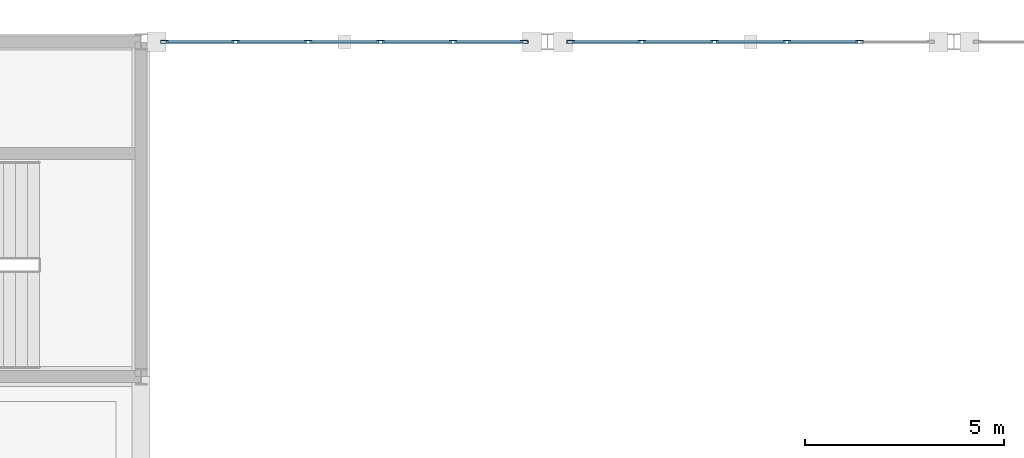
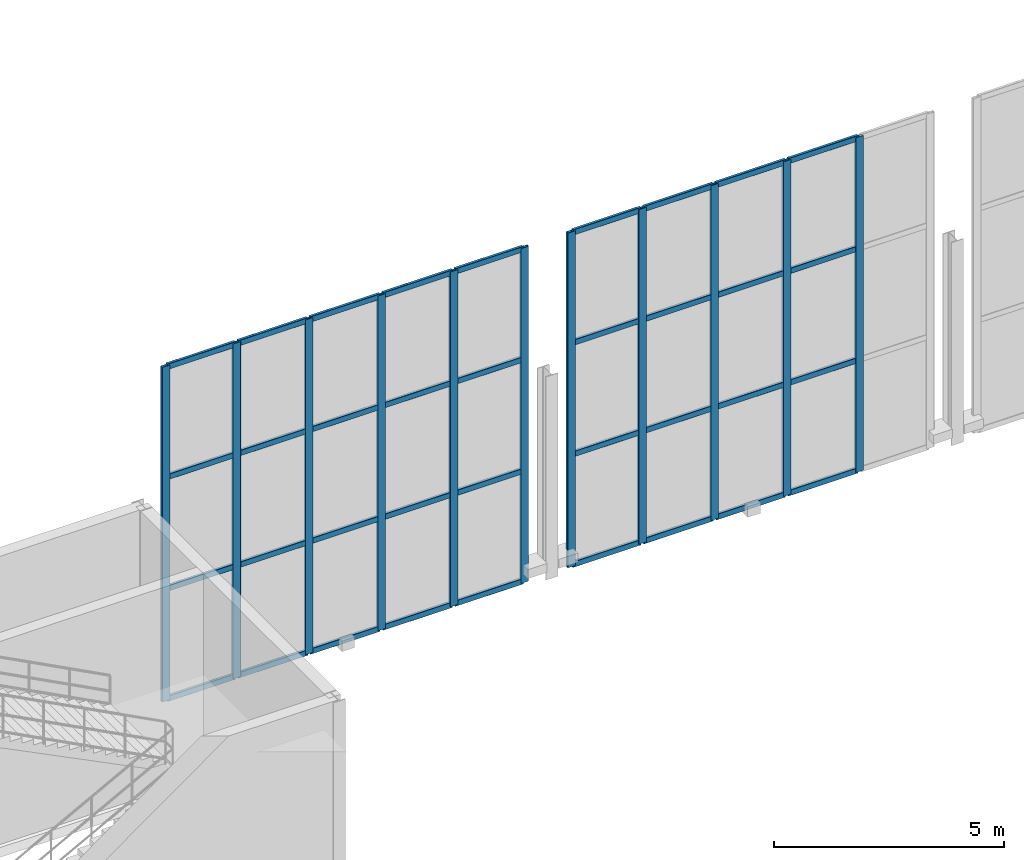
# One storey, part 97 of 175: 47 members, 2 elements without a shape of their own.
"""IFC4 building model written with IfcOpenShell, lengths in metres."""

from ifc_helpers import new_model, si_unit, direction, frame, origin, origin_2d, place, context, subcontext, project, spatial, hollow_rectangle, extrude, material, material_profile, profile_set, type_object, element, aggregate, save


model = new_model("IFC4")

# Units and contexts
model_context = context("Model", 3, precision=1e-05, world=origin(), true_north=direction((0.0, 1.0)))
body_context = subcontext(model_context, "Body", "Model", "MODEL_VIEW")
ifc_project = project(units=[si_unit("LENGTHUNIT", "METRE"), si_unit("AREAUNIT", "SQUARE_METRE"), si_unit("VOLUMEUNIT", "CUBIC_METRE"), si_unit("PLANEANGLEUNIT", "RADIAN"), si_unit("MASSUNIT", "GRAM", prefix="KILO")], contexts=[model_context])

# Site, building, storey
site_placement = place(None, origin())
site = spatial("IfcSite", under=ifc_project, at=site_placement, CompositionType="ELEMENT")
building_placement = place(site_placement, origin())
building = spatial("IfcBuilding", under=site, at=building_placement, Name="Brelvane Convention Centre", CompositionType="ELEMENT")
storey_placement = place(building_placement, frame((0.0, 0.0, 5.39990234375)))
storey = spatial("IfcBuildingStorey", under=building, at=storey_placement, Name="L01", CompositionType="ELEMENT", Elevation=5.39990234375)

# Curtain wall, members
ifc_material_1 = material(Name="Anodised Aluminium Alloy 6063-T6", Category="aluminium")
curtain_wall_type = type_object("IfcCurtainWallType", Name="Curtain Wall CW-BALL", PredefinedType="USERDEFINED", material=ifc_material_1)
curtain_wall_1_placement = place(storey_placement, origin())
curtain_wall_1 = element("IfcCurtainWall", 1, at=curtain_wall_1_placement, inside=storey, type_object=curtain_wall_type, Name="Curtain Wall CW-BALL L01-V3N-CW-L01-1", ObjectType="UNITISED", PredefinedType="USERDEFINED")
ifc_material_2 = material(Name="Anodised Aluminium Alloy 6063-T6", Category="aluminium")
ifc_material_profile_1 = material_profile(ifc_material_2, hollow_rectangle(XDim=0.074951171875, YDim=0.199951171875, WallThickness=0.0048828125, InnerFilletRadius=0.0048828125, OuterFilletRadius=0.010009765625, at=origin_2d()), Name="ALU-M 200x75x5.0")
ifc_profile_set_1 = profile_set([ifc_material_profile_1], Name="Anodised Aluminium Alloy 6063-T6")
member_type_1 = type_object("IfcMemberType", Name="Curtain Mullion CW-M2", PredefinedType="MULLION", material=ifc_profile_set_1)
member_1_placement = place(storey_placement, frame((173.987548828125, 144.0, 0.0), z_axis=(0.0, 0.0, 1.0), x_axis=(0.0, 1.0, 0.0)))
member_1 = element("IfcMember", 2, at=member_1_placement, type_object=member_type_1, Name="CW-BALL mullion 1", PredefinedType="MULLION", context=body_context, shape_type="SweptSolid", body=[
    extrude(hollow_rectangle(XDim=0.074951171875, YDim=0.199951171875, WallThickness=0.0048828125, InnerFilletRadius=0.0048828125, OuterFilletRadius=0.010009765625, at=origin_2d()), origin(), (0.0, 0.0, 1.0), 8.900146484375),
])
member_2_placement = place(storey_placement, frame((175.77001953125, 144.0, 0.0), z_axis=(0.0, 0.0, 1.0), x_axis=(0.0, 1.0, 0.0)))
member_2 = element("IfcMember", 3, at=member_2_placement, type_object=member_type_1, Name="CW-BALL mullion 2", PredefinedType="MULLION", context=body_context, shape_type="SweptSolid", body=[
    extrude(hollow_rectangle(XDim=0.074951171875, YDim=0.199951171875, WallThickness=0.0048828125, InnerFilletRadius=0.0048828125, OuterFilletRadius=0.010009765625, at=origin_2d()), origin(), (0.0, 0.0, 1.0), 8.900146484375),
])
member_3_placement = place(storey_placement, frame((177.590087890625, 144.0, 0.0), z_axis=(0.0, 0.0, 1.0), x_axis=(0.0, 1.0, 0.0)))
member_3 = element("IfcMember", 4, at=member_3_placement, type_object=member_type_1, Name="CW-BALL mullion 3", PredefinedType="MULLION", context=body_context, shape_type="SweptSolid", body=[
    extrude(hollow_rectangle(XDim=0.074951171875, YDim=0.199951171875, WallThickness=0.0048828125, InnerFilletRadius=0.0048828125, OuterFilletRadius=0.010009765625, at=origin_2d()), origin(), (0.0, 0.0, 1.0), 8.900146484375),
])
member_4_placement = place(storey_placement, frame((179.409912109375, 144.0, 0.0), z_axis=(0.0, 0.0, 1.0), x_axis=(0.0, 1.0, 0.0)))
member_4 = element("IfcMember", 5, at=member_4_placement, type_object=member_type_1, Name="CW-BALL mullion 4", PredefinedType="MULLION", context=body_context, shape_type="SweptSolid", body=[
    extrude(hollow_rectangle(XDim=0.074951171875, YDim=0.199951171875, WallThickness=0.0048828125, InnerFilletRadius=0.0048828125, OuterFilletRadius=0.010009765625, at=origin_2d()), origin(), (0.0, 0.0, 1.0), 8.900146484375),
])
member_5_placement = place(storey_placement, frame((181.22998046875, 144.0, 0.0), z_axis=(0.0, 0.0, 1.0), x_axis=(0.0, 1.0, 0.0)))
member_5 = element("IfcMember", 6, at=member_5_placement, type_object=member_type_1, Name="CW-BALL mullion 5", PredefinedType="MULLION", context=body_context, shape_type="SweptSolid", body=[
    extrude(hollow_rectangle(XDim=0.074951171875, YDim=0.199951171875, WallThickness=0.0048828125, InnerFilletRadius=0.0048828125, OuterFilletRadius=0.010009765625, at=origin_2d()), origin(), (0.0, 0.0, 1.0), 8.900146484375),
])
member_6_placement = place(storey_placement, frame((183.012451171875, 144.0, 0.0), z_axis=(0.0, 0.0, 1.0), x_axis=(0.0, 1.0, 0.0)))
member_6 = element("IfcMember", 7, at=member_6_placement, type_object=member_type_1, Name="CW-BALL mullion 6", PredefinedType="MULLION", context=body_context, shape_type="SweptSolid", body=[
    extrude(hollow_rectangle(XDim=0.074951171875, YDim=0.199951171875, WallThickness=0.0048828125, InnerFilletRadius=0.0048828125, OuterFilletRadius=0.010009765625, at=origin_2d()), origin(), (0.0, 0.0, 1.0), 8.900146484375),
])

curtain_wall_2_placement = place(storey_placement, origin())
curtain_wall_2 = element("IfcCurtainWall", 8, at=curtain_wall_2_placement, inside=storey, type_object=curtain_wall_type, Name="Curtain Wall CW-BALL L01-V3N-CW-L01-2", ObjectType="UNITISED", PredefinedType="USERDEFINED")
member_7_placement = place(storey_placement, frame((184.1875, 144.0, 0.0), z_axis=(0.0, 0.0, 1.0), x_axis=(0.0, 1.0, 0.0)))
member_7 = element("IfcMember", 9, at=member_7_placement, type_object=member_type_1, Name="CW-BALL mullion 1", PredefinedType="MULLION", context=body_context, shape_type="SweptSolid", body=[
    extrude(hollow_rectangle(XDim=0.074951171875, YDim=0.199951171875, WallThickness=0.0048828125, InnerFilletRadius=0.0048828125, OuterFilletRadius=0.010009765625, at=origin_2d()), origin(), (0.0, 0.0, 1.0), 8.900146484375),
])
member_8_placement = place(storey_placement, frame((185.969970703125, 144.0, 0.0), z_axis=(0.0, 0.0, 1.0), x_axis=(0.0, 1.0, 0.0)))
member_8 = element("IfcMember", 10, at=member_8_placement, type_object=member_type_1, Name="CW-BALL mullion 2", PredefinedType="MULLION", context=body_context, shape_type="SweptSolid", body=[
    extrude(hollow_rectangle(XDim=0.074951171875, YDim=0.199951171875, WallThickness=0.0048828125, InnerFilletRadius=0.0048828125, OuterFilletRadius=0.010009765625, at=origin_2d()), origin(), (0.0, 0.0, 1.0), 8.900146484375),
])
member_9_placement = place(storey_placement, frame((187.7900390625, 144.0, 0.0), z_axis=(0.0, 0.0, 1.0), x_axis=(0.0, 1.0, 0.0)))
member_9 = element("IfcMember", 11, at=member_9_placement, type_object=member_type_1, Name="CW-BALL mullion 3", PredefinedType="MULLION", context=body_context, shape_type="SweptSolid", body=[
    extrude(hollow_rectangle(XDim=0.074951171875, YDim=0.199951171875, WallThickness=0.0048828125, InnerFilletRadius=0.0048828125, OuterFilletRadius=0.010009765625, at=origin_2d()), origin(), (0.0, 0.0, 1.0), 8.900146484375),
])
member_10_placement = place(storey_placement, frame((189.610107421875, 144.0, 0.0), z_axis=(0.0, 0.0, 1.0), x_axis=(0.0, 1.0, 0.0)))
member_10 = element("IfcMember", 12, at=member_10_placement, type_object=member_type_1, Name="CW-BALL mullion 4", PredefinedType="MULLION", context=body_context, shape_type="SweptSolid", body=[
    extrude(hollow_rectangle(XDim=0.074951171875, YDim=0.199951171875, WallThickness=0.0048828125, InnerFilletRadius=0.0048828125, OuterFilletRadius=0.010009765625, at=origin_2d()), origin(), (0.0, 0.0, 1.0), 8.900146484375),
])
member_11_placement = place(storey_placement, frame((191.429931640625, 144.0, 0.0), z_axis=(0.0, 0.0, 1.0), x_axis=(0.0, 1.0, 0.0)))
member_11 = element("IfcMember", 13, at=member_11_placement, type_object=member_type_1, Name="CW-BALL mullion 5", PredefinedType="MULLION", context=body_context, shape_type="SweptSolid", body=[
    extrude(hollow_rectangle(XDim=0.074951171875, YDim=0.199951171875, WallThickness=0.0048828125, InnerFilletRadius=0.0048828125, OuterFilletRadius=0.010009765625, at=origin_2d()), origin(), (0.0, 0.0, 1.0), 8.900146484375),
])

# Member
ifc_material_3 = material(Name="Anodised Aluminium Alloy 6063-T6", Category="aluminium")
ifc_material_profile_2 = material_profile(ifc_material_3, hollow_rectangle(XDim=0.070068359375, YDim=0.14990234375, WallThickness=0.00439453125, InnerFilletRadius=0.00439453125, OuterFilletRadius=0.009033203125, at=origin_2d()), Name="ALU-T 150x70x4.5")
ifc_profile_set_2 = profile_set([ifc_material_profile_2], Name="Anodised Aluminium Alloy 6063-T6")
member_type_2 = type_object("IfcMemberType", Name="Curtain Transom CW-T2", PredefinedType="USERDEFINED", material=ifc_profile_set_2)
member_12_placement = place(storey_placement, frame((174.02490234375, 144.0, 0.03515625), z_axis=(1.0, 0.0, 0.0), x_axis=(0.0, 1.0, 0.0)))
member_12 = element("IfcMember", 14, at=member_12_placement, type_object=member_type_2, Name="CW-BALL transom 1.1", ObjectType="TRANSOM", PredefinedType="USERDEFINED", context=body_context, shape_type="SweptSolid", body=[
    extrude(hollow_rectangle(XDim=0.070068359375, YDim=0.14990234375, WallThickness=0.00439453125, InnerFilletRadius=0.00439453125, OuterFilletRadius=0.009033203125, at=origin_2d()), origin(), (0.0, 0.0, 1.0), 1.70751953125),
])

member_13_placement = place(storey_placement, frame((174.02490234375, 144.0, 2.966796875), z_axis=(1.0, 0.0, 0.0), x_axis=(0.0, 1.0, 0.0)))
member_13 = element("IfcMember", 15, at=member_13_placement, type_object=member_type_2, Name="CW-BALL transom 1.2", ObjectType="TRANSOM", PredefinedType="USERDEFINED", context=body_context, shape_type="SweptSolid", body=[
    extrude(hollow_rectangle(XDim=0.070068359375, YDim=0.14990234375, WallThickness=0.00439453125, InnerFilletRadius=0.00439453125, OuterFilletRadius=0.009033203125, at=origin_2d()), origin(), (0.0, 0.0, 1.0), 1.70751953125),
])

member_14_placement = place(storey_placement, frame((174.02490234375, 144.0, 5.933349609375), z_axis=(1.0, 0.0, 0.0), x_axis=(0.0, 1.0, 0.0)))
member_14 = element("IfcMember", 16, at=member_14_placement, type_object=member_type_2, Name="CW-BALL transom 1.3", ObjectType="TRANSOM", PredefinedType="USERDEFINED", context=body_context, shape_type="SweptSolid", body=[
    extrude(hollow_rectangle(XDim=0.070068359375, YDim=0.14990234375, WallThickness=0.00439453125, InnerFilletRadius=0.00439453125, OuterFilletRadius=0.009033203125, at=origin_2d()), origin(), (0.0, 0.0, 1.0), 1.70751953125),
])

member_15_placement = place(storey_placement, frame((174.02490234375, 144.0, 8.864990234375), z_axis=(1.0, 0.0, 0.0), x_axis=(0.0, 1.0, 0.0)))
member_15 = element("IfcMember", 17, at=member_15_placement, type_object=member_type_2, Name="CW-BALL transom 1.4", ObjectType="TRANSOM", PredefinedType="USERDEFINED", context=body_context, shape_type="SweptSolid", body=[
    extrude(hollow_rectangle(XDim=0.070068359375, YDim=0.14990234375, WallThickness=0.00439453125, InnerFilletRadius=0.00439453125, OuterFilletRadius=0.009033203125, at=origin_2d()), origin(), (0.0, 0.0, 1.0), 1.70751953125),
])

member_16_placement = place(storey_placement, frame((175.8076171875, 144.0, 0.03515625), z_axis=(1.0, 0.0, 0.0), x_axis=(0.0, 1.0, 0.0)))
member_16 = element("IfcMember", 18, at=member_16_placement, type_object=member_type_2, Name="CW-BALL transom 2.1", ObjectType="TRANSOM", PredefinedType="USERDEFINED", context=body_context, shape_type="SweptSolid", body=[
    extrude(hollow_rectangle(XDim=0.070068359375, YDim=0.14990234375, WallThickness=0.00439453125, InnerFilletRadius=0.00439453125, OuterFilletRadius=0.009033203125, at=origin_2d()), origin(), (0.0, 0.0, 1.0), 1.744873046875),
])

member_17_placement = place(storey_placement, frame((175.8076171875, 144.0, 2.966796875), z_axis=(1.0, 0.0, 0.0), x_axis=(0.0, 1.0, 0.0)))
member_17 = element("IfcMember", 19, at=member_17_placement, type_object=member_type_2, Name="CW-BALL transom 2.2", ObjectType="TRANSOM", PredefinedType="USERDEFINED", context=body_context, shape_type="SweptSolid", body=[
    extrude(hollow_rectangle(XDim=0.070068359375, YDim=0.14990234375, WallThickness=0.00439453125, InnerFilletRadius=0.00439453125, OuterFilletRadius=0.009033203125, at=origin_2d()), origin(), (0.0, 0.0, 1.0), 1.744873046875),
])

member_18_placement = place(storey_placement, frame((175.8076171875, 144.0, 5.933349609375), z_axis=(1.0, 0.0, 0.0), x_axis=(0.0, 1.0, 0.0)))
member_18 = element("IfcMember", 20, at=member_18_placement, type_object=member_type_2, Name="CW-BALL transom 2.3", ObjectType="TRANSOM", PredefinedType="USERDEFINED", context=body_context, shape_type="SweptSolid", body=[
    extrude(hollow_rectangle(XDim=0.070068359375, YDim=0.14990234375, WallThickness=0.00439453125, InnerFilletRadius=0.00439453125, OuterFilletRadius=0.009033203125, at=origin_2d()), origin(), (0.0, 0.0, 1.0), 1.744873046875),
])

member_19_placement = place(storey_placement, frame((175.8076171875, 144.0, 8.864990234375), z_axis=(1.0, 0.0, 0.0), x_axis=(0.0, 1.0, 0.0)))
member_19 = element("IfcMember", 21, at=member_19_placement, type_object=member_type_2, Name="CW-BALL transom 2.4", ObjectType="TRANSOM", PredefinedType="USERDEFINED", context=body_context, shape_type="SweptSolid", body=[
    extrude(hollow_rectangle(XDim=0.070068359375, YDim=0.14990234375, WallThickness=0.00439453125, InnerFilletRadius=0.00439453125, OuterFilletRadius=0.009033203125, at=origin_2d()), origin(), (0.0, 0.0, 1.0), 1.744873046875),
])

member_20_placement = place(storey_placement, frame((177.62744140625, 144.0, 0.03515625), z_axis=(1.0, 0.0, 0.0), x_axis=(0.0, 1.0, 0.0)))
member_20 = element("IfcMember", 22, at=member_20_placement, type_object=member_type_2, Name="CW-BALL transom 3.1", ObjectType="TRANSOM", PredefinedType="USERDEFINED", context=body_context, shape_type="SweptSolid", body=[
    extrude(hollow_rectangle(XDim=0.070068359375, YDim=0.14990234375, WallThickness=0.00439453125, InnerFilletRadius=0.00439453125, OuterFilletRadius=0.009033203125, at=origin_2d()), origin(), (0.0, 0.0, 1.0), 1.7451171875),
])

member_21_placement = place(storey_placement, frame((177.62744140625, 144.0, 2.966796875), z_axis=(1.0, 0.0, 0.0), x_axis=(0.0, 1.0, 0.0)))
member_21 = element("IfcMember", 23, at=member_21_placement, type_object=member_type_2, Name="CW-BALL transom 3.2", ObjectType="TRANSOM", PredefinedType="USERDEFINED", context=body_context, shape_type="SweptSolid", body=[
    extrude(hollow_rectangle(XDim=0.070068359375, YDim=0.14990234375, WallThickness=0.00439453125, InnerFilletRadius=0.00439453125, OuterFilletRadius=0.009033203125, at=origin_2d()), origin(), (0.0, 0.0, 1.0), 1.7451171875),
])

member_22_placement = place(storey_placement, frame((177.62744140625, 144.0, 5.933349609375), z_axis=(1.0, 0.0, 0.0), x_axis=(0.0, 1.0, 0.0)))
member_22 = element("IfcMember", 24, at=member_22_placement, type_object=member_type_2, Name="CW-BALL transom 3.3", ObjectType="TRANSOM", PredefinedType="USERDEFINED", context=body_context, shape_type="SweptSolid", body=[
    extrude(hollow_rectangle(XDim=0.070068359375, YDim=0.14990234375, WallThickness=0.00439453125, InnerFilletRadius=0.00439453125, OuterFilletRadius=0.009033203125, at=origin_2d()), origin(), (0.0, 0.0, 1.0), 1.7451171875),
])

member_23_placement = place(storey_placement, frame((177.62744140625, 144.0, 8.864990234375), z_axis=(1.0, 0.0, 0.0), x_axis=(0.0, 1.0, 0.0)))
member_23 = element("IfcMember", 25, at=member_23_placement, type_object=member_type_2, Name="CW-BALL transom 3.4", ObjectType="TRANSOM", PredefinedType="USERDEFINED", context=body_context, shape_type="SweptSolid", body=[
    extrude(hollow_rectangle(XDim=0.070068359375, YDim=0.14990234375, WallThickness=0.00439453125, InnerFilletRadius=0.00439453125, OuterFilletRadius=0.009033203125, at=origin_2d()), origin(), (0.0, 0.0, 1.0), 1.7451171875),
])

member_24_placement = place(storey_placement, frame((179.447509765625, 144.0, 0.03515625), z_axis=(1.0, 0.0, 0.0), x_axis=(0.0, 1.0, 0.0)))
member_24 = element("IfcMember", 26, at=member_24_placement, type_object=member_type_2, Name="CW-BALL transom 4.1", ObjectType="TRANSOM", PredefinedType="USERDEFINED", context=body_context, shape_type="SweptSolid", body=[
    extrude(hollow_rectangle(XDim=0.070068359375, YDim=0.14990234375, WallThickness=0.00439453125, InnerFilletRadius=0.00439453125, OuterFilletRadius=0.009033203125, at=origin_2d()), origin(), (0.0, 0.0, 1.0), 1.744873046875),
])

member_25_placement = place(storey_placement, frame((179.447509765625, 144.0, 2.966796875), z_axis=(1.0, 0.0, 0.0), x_axis=(0.0, 1.0, 0.0)))
member_25 = element("IfcMember", 27, at=member_25_placement, type_object=member_type_2, Name="CW-BALL transom 4.2", ObjectType="TRANSOM", PredefinedType="USERDEFINED", context=body_context, shape_type="SweptSolid", body=[
    extrude(hollow_rectangle(XDim=0.070068359375, YDim=0.14990234375, WallThickness=0.00439453125, InnerFilletRadius=0.00439453125, OuterFilletRadius=0.009033203125, at=origin_2d()), origin(), (0.0, 0.0, 1.0), 1.744873046875),
])

member_26_placement = place(storey_placement, frame((179.447509765625, 144.0, 5.933349609375), z_axis=(1.0, 0.0, 0.0), x_axis=(0.0, 1.0, 0.0)))
member_26 = element("IfcMember", 28, at=member_26_placement, type_object=member_type_2, Name="CW-BALL transom 4.3", ObjectType="TRANSOM", PredefinedType="USERDEFINED", context=body_context, shape_type="SweptSolid", body=[
    extrude(hollow_rectangle(XDim=0.070068359375, YDim=0.14990234375, WallThickness=0.00439453125, InnerFilletRadius=0.00439453125, OuterFilletRadius=0.009033203125, at=origin_2d()), origin(), (0.0, 0.0, 1.0), 1.744873046875),
])

member_27_placement = place(storey_placement, frame((179.447509765625, 144.0, 8.864990234375), z_axis=(1.0, 0.0, 0.0), x_axis=(0.0, 1.0, 0.0)))
member_27 = element("IfcMember", 29, at=member_27_placement, type_object=member_type_2, Name="CW-BALL transom 4.4", ObjectType="TRANSOM", PredefinedType="USERDEFINED", context=body_context, shape_type="SweptSolid", body=[
    extrude(hollow_rectangle(XDim=0.070068359375, YDim=0.14990234375, WallThickness=0.00439453125, InnerFilletRadius=0.00439453125, OuterFilletRadius=0.009033203125, at=origin_2d()), origin(), (0.0, 0.0, 1.0), 1.744873046875),
])

member_28_placement = place(storey_placement, frame((181.267578125, 144.0, 0.03515625), z_axis=(1.0, 0.0, 0.0), x_axis=(0.0, 1.0, 0.0)))
member_28 = element("IfcMember", 30, at=member_28_placement, type_object=member_type_2, Name="CW-BALL transom 5.1", ObjectType="TRANSOM", PredefinedType="USERDEFINED", context=body_context, shape_type="SweptSolid", body=[
    extrude(hollow_rectangle(XDim=0.070068359375, YDim=0.14990234375, WallThickness=0.00439453125, InnerFilletRadius=0.00439453125, OuterFilletRadius=0.009033203125, at=origin_2d()), origin(), (0.0, 0.0, 1.0), 1.70751953125),
])

member_29_placement = place(storey_placement, frame((181.267578125, 144.0, 2.966796875), z_axis=(1.0, 0.0, 0.0), x_axis=(0.0, 1.0, 0.0)))
member_29 = element("IfcMember", 31, at=member_29_placement, type_object=member_type_2, Name="CW-BALL transom 5.2", ObjectType="TRANSOM", PredefinedType="USERDEFINED", context=body_context, shape_type="SweptSolid", body=[
    extrude(hollow_rectangle(XDim=0.070068359375, YDim=0.14990234375, WallThickness=0.00439453125, InnerFilletRadius=0.00439453125, OuterFilletRadius=0.009033203125, at=origin_2d()), origin(), (0.0, 0.0, 1.0), 1.70751953125),
])

member_30_placement = place(storey_placement, frame((181.267578125, 144.0, 5.933349609375), z_axis=(1.0, 0.0, 0.0), x_axis=(0.0, 1.0, 0.0)))
member_30 = element("IfcMember", 32, at=member_30_placement, type_object=member_type_2, Name="CW-BALL transom 5.3", ObjectType="TRANSOM", PredefinedType="USERDEFINED", context=body_context, shape_type="SweptSolid", body=[
    extrude(hollow_rectangle(XDim=0.070068359375, YDim=0.14990234375, WallThickness=0.00439453125, InnerFilletRadius=0.00439453125, OuterFilletRadius=0.009033203125, at=origin_2d()), origin(), (0.0, 0.0, 1.0), 1.70751953125),
])

member_31_placement = place(storey_placement, frame((181.267578125, 144.0, 8.864990234375), z_axis=(1.0, 0.0, 0.0), x_axis=(0.0, 1.0, 0.0)))
member_31 = element("IfcMember", 33, at=member_31_placement, type_object=member_type_2, Name="CW-BALL transom 5.4", ObjectType="TRANSOM", PredefinedType="USERDEFINED", context=body_context, shape_type="SweptSolid", body=[
    extrude(hollow_rectangle(XDim=0.070068359375, YDim=0.14990234375, WallThickness=0.00439453125, InnerFilletRadius=0.00439453125, OuterFilletRadius=0.009033203125, at=origin_2d()), origin(), (0.0, 0.0, 1.0), 1.70751953125),
])

aggregate(curtain_wall_1, [member_1, member_2, member_3, member_4, member_5, member_6, member_12, member_13, member_14, member_15, member_16, member_17, member_18, member_19, member_20, member_21, member_22, member_23, member_24, member_25, member_26, member_27, member_28, member_29, member_30, member_31])

member_32_placement = place(storey_placement, frame((184.22509765625, 144.0, 0.03515625), z_axis=(1.0, 0.0, 0.0), x_axis=(0.0, 1.0, 0.0)))
member_32 = element("IfcMember", 34, at=member_32_placement, type_object=member_type_2, Name="CW-BALL transom 1.1", ObjectType="TRANSOM", PredefinedType="USERDEFINED", context=body_context, shape_type="SweptSolid", body=[
    extrude(hollow_rectangle(XDim=0.070068359375, YDim=0.14990234375, WallThickness=0.00439453125, InnerFilletRadius=0.00439453125, OuterFilletRadius=0.009033203125, at=origin_2d()), origin(), (0.0, 0.0, 1.0), 1.70751953125),
])

member_33_placement = place(storey_placement, frame((184.22509765625, 144.0, 2.966796875), z_axis=(1.0, 0.0, 0.0), x_axis=(0.0, 1.0, 0.0)))
member_33 = element("IfcMember", 35, at=member_33_placement, type_object=member_type_2, Name="CW-BALL transom 1.2", ObjectType="TRANSOM", PredefinedType="USERDEFINED", context=body_context, shape_type="SweptSolid", body=[
    extrude(hollow_rectangle(XDim=0.070068359375, YDim=0.14990234375, WallThickness=0.00439453125, InnerFilletRadius=0.00439453125, OuterFilletRadius=0.009033203125, at=origin_2d()), origin(), (0.0, 0.0, 1.0), 1.70751953125),
])

member_34_placement = place(storey_placement, frame((184.22509765625, 144.0, 5.933349609375), z_axis=(1.0, 0.0, 0.0), x_axis=(0.0, 1.0, 0.0)))
member_34 = element("IfcMember", 36, at=member_34_placement, type_object=member_type_2, Name="CW-BALL transom 1.3", ObjectType="TRANSOM", PredefinedType="USERDEFINED", context=body_context, shape_type="SweptSolid", body=[
    extrude(hollow_rectangle(XDim=0.070068359375, YDim=0.14990234375, WallThickness=0.00439453125, InnerFilletRadius=0.00439453125, OuterFilletRadius=0.009033203125, at=origin_2d()), origin(), (0.0, 0.0, 1.0), 1.70751953125),
])

member_35_placement = place(storey_placement, frame((184.22509765625, 144.0, 8.864990234375), z_axis=(1.0, 0.0, 0.0), x_axis=(0.0, 1.0, 0.0)))
member_35 = element("IfcMember", 37, at=member_35_placement, type_object=member_type_2, Name="CW-BALL transom 1.4", ObjectType="TRANSOM", PredefinedType="USERDEFINED", context=body_context, shape_type="SweptSolid", body=[
    extrude(hollow_rectangle(XDim=0.070068359375, YDim=0.14990234375, WallThickness=0.00439453125, InnerFilletRadius=0.00439453125, OuterFilletRadius=0.009033203125, at=origin_2d()), origin(), (0.0, 0.0, 1.0), 1.70751953125),
])

member_36_placement = place(storey_placement, frame((186.007568359375, 144.0, 0.03515625), z_axis=(1.0, 0.0, 0.0), x_axis=(0.0, 1.0, 0.0)))
member_36 = element("IfcMember", 38, at=member_36_placement, type_object=member_type_2, Name="CW-BALL transom 2.1", ObjectType="TRANSOM", PredefinedType="USERDEFINED", context=body_context, shape_type="SweptSolid", body=[
    extrude(hollow_rectangle(XDim=0.070068359375, YDim=0.14990234375, WallThickness=0.00439453125, InnerFilletRadius=0.00439453125, OuterFilletRadius=0.009033203125, at=origin_2d()), origin(), (0.0, 0.0, 1.0), 1.744873046875),
])

member_37_placement = place(storey_placement, frame((186.007568359375, 144.0, 2.966796875), z_axis=(1.0, 0.0, 0.0), x_axis=(0.0, 1.0, 0.0)))
member_37 = element("IfcMember", 39, at=member_37_placement, type_object=member_type_2, Name="CW-BALL transom 2.2", ObjectType="TRANSOM", PredefinedType="USERDEFINED", context=body_context, shape_type="SweptSolid", body=[
    extrude(hollow_rectangle(XDim=0.070068359375, YDim=0.14990234375, WallThickness=0.00439453125, InnerFilletRadius=0.00439453125, OuterFilletRadius=0.009033203125, at=origin_2d()), origin(), (0.0, 0.0, 1.0), 1.744873046875),
])

member_38_placement = place(storey_placement, frame((186.007568359375, 144.0, 5.933349609375), z_axis=(1.0, 0.0, 0.0), x_axis=(0.0, 1.0, 0.0)))
member_38 = element("IfcMember", 40, at=member_38_placement, type_object=member_type_2, Name="CW-BALL transom 2.3", ObjectType="TRANSOM", PredefinedType="USERDEFINED", context=body_context, shape_type="SweptSolid", body=[
    extrude(hollow_rectangle(XDim=0.070068359375, YDim=0.14990234375, WallThickness=0.00439453125, InnerFilletRadius=0.00439453125, OuterFilletRadius=0.009033203125, at=origin_2d()), origin(), (0.0, 0.0, 1.0), 1.744873046875),
])

member_39_placement = place(storey_placement, frame((186.007568359375, 144.0, 8.864990234375), z_axis=(1.0, 0.0, 0.0), x_axis=(0.0, 1.0, 0.0)))
member_39 = element("IfcMember", 41, at=member_39_placement, type_object=member_type_2, Name="CW-BALL transom 2.4", ObjectType="TRANSOM", PredefinedType="USERDEFINED", context=body_context, shape_type="SweptSolid", body=[
    extrude(hollow_rectangle(XDim=0.070068359375, YDim=0.14990234375, WallThickness=0.00439453125, InnerFilletRadius=0.00439453125, OuterFilletRadius=0.009033203125, at=origin_2d()), origin(), (0.0, 0.0, 1.0), 1.744873046875),
])

member_40_placement = place(storey_placement, frame((187.827392578125, 144.0, 0.03515625), z_axis=(1.0, 0.0, 0.0), x_axis=(0.0, 1.0, 0.0)))
member_40 = element("IfcMember", 42, at=member_40_placement, type_object=member_type_2, Name="CW-BALL transom 3.1", ObjectType="TRANSOM", PredefinedType="USERDEFINED", context=body_context, shape_type="SweptSolid", body=[
    extrude(hollow_rectangle(XDim=0.070068359375, YDim=0.14990234375, WallThickness=0.00439453125, InnerFilletRadius=0.00439453125, OuterFilletRadius=0.009033203125, at=origin_2d()), origin(), (0.0, 0.0, 1.0), 1.7451171875),
])

member_41_placement = place(storey_placement, frame((187.827392578125, 144.0, 2.966796875), z_axis=(1.0, 0.0, 0.0), x_axis=(0.0, 1.0, 0.0)))
member_41 = element("IfcMember", 43, at=member_41_placement, type_object=member_type_2, Name="CW-BALL transom 3.2", ObjectType="TRANSOM", PredefinedType="USERDEFINED", context=body_context, shape_type="SweptSolid", body=[
    extrude(hollow_rectangle(XDim=0.070068359375, YDim=0.14990234375, WallThickness=0.00439453125, InnerFilletRadius=0.00439453125, OuterFilletRadius=0.009033203125, at=origin_2d()), origin(), (0.0, 0.0, 1.0), 1.7451171875),
])

member_42_placement = place(storey_placement, frame((187.827392578125, 144.0, 5.933349609375), z_axis=(1.0, 0.0, 0.0), x_axis=(0.0, 1.0, 0.0)))
member_42 = element("IfcMember", 44, at=member_42_placement, type_object=member_type_2, Name="CW-BALL transom 3.3", ObjectType="TRANSOM", PredefinedType="USERDEFINED", context=body_context, shape_type="SweptSolid", body=[
    extrude(hollow_rectangle(XDim=0.070068359375, YDim=0.14990234375, WallThickness=0.00439453125, InnerFilletRadius=0.00439453125, OuterFilletRadius=0.009033203125, at=origin_2d()), origin(), (0.0, 0.0, 1.0), 1.7451171875),
])

member_43_placement = place(storey_placement, frame((187.827392578125, 144.0, 8.864990234375), z_axis=(1.0, 0.0, 0.0), x_axis=(0.0, 1.0, 0.0)))
member_43 = element("IfcMember", 45, at=member_43_placement, type_object=member_type_2, Name="CW-BALL transom 3.4", ObjectType="TRANSOM", PredefinedType="USERDEFINED", context=body_context, shape_type="SweptSolid", body=[
    extrude(hollow_rectangle(XDim=0.070068359375, YDim=0.14990234375, WallThickness=0.00439453125, InnerFilletRadius=0.00439453125, OuterFilletRadius=0.009033203125, at=origin_2d()), origin(), (0.0, 0.0, 1.0), 1.7451171875),
])

member_44_placement = place(storey_placement, frame((189.6474609375, 144.0, 0.03515625), z_axis=(1.0, 0.0, 0.0), x_axis=(0.0, 1.0, 0.0)))
member_44 = element("IfcMember", 46, at=member_44_placement, type_object=member_type_2, Name="CW-BALL transom 4.1", ObjectType="TRANSOM", PredefinedType="USERDEFINED", context=body_context, shape_type="SweptSolid", body=[
    extrude(hollow_rectangle(XDim=0.070068359375, YDim=0.14990234375, WallThickness=0.00439453125, InnerFilletRadius=0.00439453125, OuterFilletRadius=0.009033203125, at=origin_2d()), origin(), (0.0, 0.0, 1.0), 1.7451171875),
])

member_45_placement = place(storey_placement, frame((189.6474609375, 144.0, 2.966796875), z_axis=(1.0, 0.0, 0.0), x_axis=(0.0, 1.0, 0.0)))
member_45 = element("IfcMember", 47, at=member_45_placement, type_object=member_type_2, Name="CW-BALL transom 4.2", ObjectType="TRANSOM", PredefinedType="USERDEFINED", context=body_context, shape_type="SweptSolid", body=[
    extrude(hollow_rectangle(XDim=0.070068359375, YDim=0.14990234375, WallThickness=0.00439453125, InnerFilletRadius=0.00439453125, OuterFilletRadius=0.009033203125, at=origin_2d()), origin(), (0.0, 0.0, 1.0), 1.7451171875),
])

member_46_placement = place(storey_placement, frame((189.6474609375, 144.0, 5.933349609375), z_axis=(1.0, 0.0, 0.0), x_axis=(0.0, 1.0, 0.0)))
member_46 = element("IfcMember", 48, at=member_46_placement, type_object=member_type_2, Name="CW-BALL transom 4.3", ObjectType="TRANSOM", PredefinedType="USERDEFINED", context=body_context, shape_type="SweptSolid", body=[
    extrude(hollow_rectangle(XDim=0.070068359375, YDim=0.14990234375, WallThickness=0.00439453125, InnerFilletRadius=0.00439453125, OuterFilletRadius=0.009033203125, at=origin_2d()), origin(), (0.0, 0.0, 1.0), 1.7451171875),
])

member_47_placement = place(storey_placement, frame((189.6474609375, 144.0, 8.864990234375), z_axis=(1.0, 0.0, 0.0), x_axis=(0.0, 1.0, 0.0)))
member_47 = element("IfcMember", 49, at=member_47_placement, type_object=member_type_2, Name="CW-BALL transom 4.4", ObjectType="TRANSOM", PredefinedType="USERDEFINED", context=body_context, shape_type="SweptSolid", body=[
    extrude(hollow_rectangle(XDim=0.070068359375, YDim=0.14990234375, WallThickness=0.00439453125, InnerFilletRadius=0.00439453125, OuterFilletRadius=0.009033203125, at=origin_2d()), origin(), (0.0, 0.0, 1.0), 1.7451171875),
])

aggregate(curtain_wall_2, [member_7, member_8, member_9, member_10, member_11, member_32, member_33, member_34, member_35, member_36, member_37, member_38, member_39, member_40, member_41, member_42, member_43, member_44, member_45, member_46, member_47])

save(model, "model.ifc")
